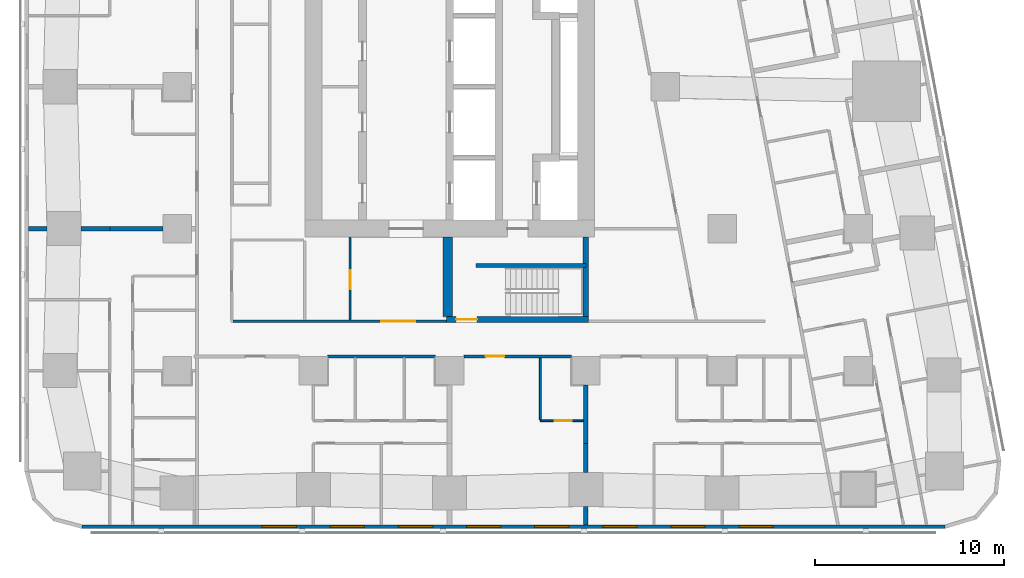
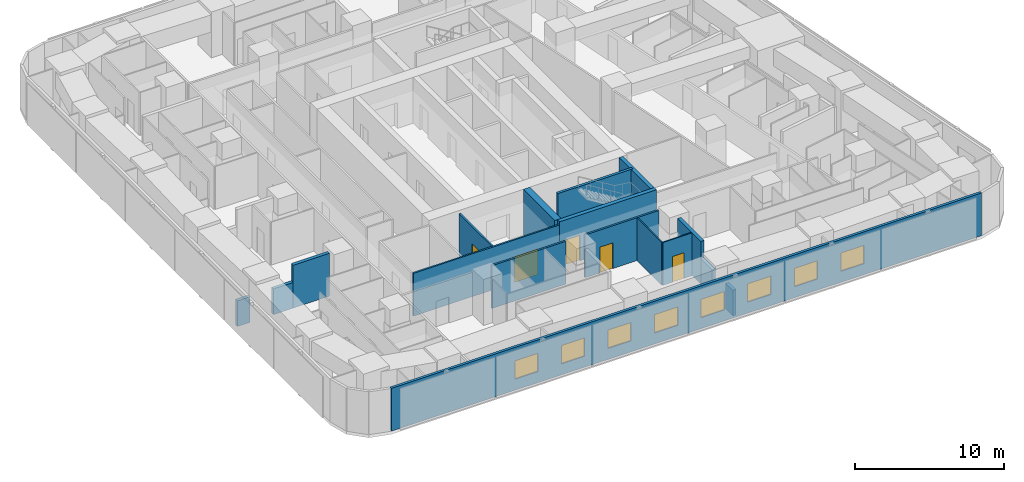
# One storey, part 3 of 15: 17 walls, 8 windows, 5 doors, 13 openings.
"""IFC4 building model written with IfcOpenShell, lengths in metres."""

from ifc_helpers import new_model, si_unit, direction, frame, frame_2d, origin, place, context, subcontext, project, spatial, rectangle, extrude, material, layer, layer_set, type_object, element, fill, save


model = new_model("IFC4")

# Units and contexts
model_context = context("Model", 3, precision=1e-05, world=origin(), true_north=direction((0.0, 1.0)))
body_context = subcontext(model_context, "Body", "Model", "MODEL_VIEW")
ifc_project = project(units=[si_unit("LENGTHUNIT", "METRE"), si_unit("AREAUNIT", "SQUARE_METRE"), si_unit("VOLUMEUNIT", "CUBIC_METRE"), si_unit("PLANEANGLEUNIT", "RADIAN"), si_unit("MASSUNIT", "GRAM", prefix="KILO")], contexts=[model_context])

# Site, building, storey
site_placement = place(None, origin())
site = spatial("IfcSite", under=ifc_project, at=site_placement, CompositionType="ELEMENT")
building_placement = place(site_placement, origin())
building = spatial("IfcBuilding", under=site, at=building_placement, Name="Sheger Commons Tower", CompositionType="ELEMENT")
storey_placement = place(building_placement, frame((0.0, 0.0, 173.300048828125)))
storey = spatial("IfcBuildingStorey", under=building, at=storey_placement, Name="L44", CompositionType="ELEMENT", Elevation=173.300048828125)

# Wall, opening, door
ifc_material_1 = material(Name="Hollow concrete block masonry, skimmed both sides", Category="masonry")
ifc_layer_1 = layer(ifc_material_1, 0.14990234375)
ifc_layer_set_1 = layer_set([ifc_layer_1], Name="CORRIDOR WALL 150")
wall_type_1 = type_object("IfcWallType", Name="CORRIDOR WALL 150", PredefinedType="SOLIDWALL", material=ifc_layer_set_1)
wall_1_placement = place(storey_placement, frame((28.049072265625, 8.25, 0.0), z_axis=(0.0, 0.0, 1.0), x_axis=(-1.0, 0.0, 0.0)))
wall_1 = element("IfcWall", 1, at=wall_1_placement, inside=storey, type_object=wall_type_1, Name="Corridor wall L44", PredefinedType="SOLIDWALL", context=body_context, shape_type="SweptSolid", body=[
    extrude(rectangle(XDim=5.697998046875, YDim=0.14990234375, at=frame_2d((2.84912109375, 0.0))), origin(), (0.0, 0.0, 1.0), 3.5),
])
opening_1_placement = place(wall_1_placement, frame((3.549072265625, 0.0, 0.0)))
opening_1 = element("IfcOpeningElement", 2, at=opening_1_placement, cuts=wall_1, Name="Opening D1", PredefinedType="OPENING", context=body_context, shape_type="SweptSolid", body=[
    extrude(rectangle(XDim=1.0, YDim=2.10009765625, at=frame_2d((0.5, 1.050048828125))), frame((0.0, 0.0849609375, 0.0), z_axis=(0.0, -1.0, 0.0), x_axis=(1.0, 0.0, 0.0)), (0.0, 0.0, 1.0), 0.169921875),
])
ifc_material_2 = material(Name="Steel door set, fire rated", Category="steel")
door_type_1 = type_object("IfcDoorType", Name="FLAT ENTRANCE DOOR 1000x2100", OperationType="NOTDEFINED", PredefinedType="DOOR", material=ifc_material_2)
door_1_placement = place(opening_1_placement, origin())
door_1 = element("IfcDoor", 3, at=door_1_placement, inside=storey, type_object=door_type_1, Name="Flat entrance door", OperationType="SINGLE_SWING_RIGHT", OverallHeight=2.10009765625, OverallWidth=1.0, PredefinedType="DOOR", context=body_context, shape_type="SweptSolid", body=[
    extrude(rectangle(XDim=1.0, YDim=2.10009765625, at=frame_2d((0.5, 1.050048828125))), frame((0.0, 0.02490234375, 0.0), z_axis=(0.0, -1.0, 0.0), x_axis=(1.0, 0.0, 0.0)), (0.0, 0.0, 1.0), 0.050048828125),
])
fill(opening_1, door_1)

# Walls
wall_2_placement = place(storey_placement, frame((20.84912109375, 8.25, 0.0), z_axis=(0.0, 0.0, 1.0), x_axis=(-1.0, 0.0, 0.0)))
element("IfcWall", 4, at=wall_2_placement, inside=storey, type_object=wall_type_1, Name="Corridor wall L44", PredefinedType="SOLIDWALL", context=body_context, shape_type="SweptSolid", body=[
    extrude(rectangle(XDim=5.6982421875, YDim=0.14990234375, at=frame_2d((2.84912109375, 0.0))), origin(), (0.0, 0.0, 1.0), 3.5),
])
ifc_material_3 = material(Name="Dense concrete block masonry, plastered both sides (separating wall between flats)", Category="masonry")
ifc_layer_2 = layer(ifc_material_3, 0.25)
ifc_layer_set_2 = layer_set([ifc_layer_2], Name="DEMISING WALL 250")
wall_type_2 = type_object("IfcWallType", Name="DEMISING WALL 250", PredefinedType="SOLIDWALL", material=ifc_layer_set_2)
wall_3_placement = place(storey_placement, frame((-0.64990234375, 15.0, 0.0), z_axis=(0.0, 0.0, 1.0), x_axis=(1.0, 0.0, 0.0)))
element("IfcWall", 5, at=wall_3_placement, inside=storey, type_object=wall_type_2, Name="Demising wall L44", PredefinedType="SOLIDWALL", context=body_context, shape_type="SweptSolid", body=[
    extrude(rectangle(XDim=0.973876953125, YDim=0.25, at=frame_2d((0.48681640625, 0.0))), origin(), (0.0, 0.0, 1.0), 2.099853515625),
])
wall_4_placement = place(storey_placement, frame((2.1259765625, 15.0, 0.0), z_axis=(0.0, 0.0, 1.0), x_axis=(1.0, 0.0, 0.0)))
element("IfcWall", 6, at=wall_4_placement, inside=storey, type_object=wall_type_2, Name="Demising wall L44", PredefinedType="SOLIDWALL", context=body_context, shape_type="SweptSolid", body=[
    extrude(rectangle(XDim=1.52392578125, YDim=0.25, at=frame_2d((0.761962890625, 0.0))), origin(), (0.0, 0.0, 1.0), 2.099853515625),
])
wall_5_placement = place(storey_placement, frame((3.64990234375, 15.0, 0.0), z_axis=(0.0, 0.0, 1.0), x_axis=(1.0, 0.0, 0.0)))
element("IfcWall", 7, at=wall_5_placement, inside=storey, type_object=wall_type_2, Name="Demising wall L44", PredefinedType="SOLIDWALL", context=body_context, shape_type="SweptSolid", body=[
    extrude(rectangle(XDim=2.799072265625, YDim=0.25, at=frame_2d((1.3994140625, 0.0))), origin(), (0.0, 0.0, 1.0), 3.5),
])
wall_6_placement = place(storey_placement, frame((28.800048828125, -0.64990234375, 0.0), z_axis=(0.0, 0.0, 1.0), x_axis=(0.0, 1.0, 0.0)))
element("IfcWall", 8, at=wall_6_placement, inside=storey, type_object=wall_type_2, Name="Demising wall L44", PredefinedType="SOLIDWALL", context=body_context, shape_type="SweptSolid", body=[
    extrude(rectangle(XDim=0.973876953125, YDim=0.25, at=frame_2d((0.48681640625, 0.0))), origin(), (0.0, 0.0, 1.0), 2.099853515625),
])
wall_7_placement = place(storey_placement, frame((28.800048828125, 2.1259765625, 0.0), z_axis=(0.0, 0.0, 1.0), x_axis=(0.0, 1.0, 0.0)))
element("IfcWall", 9, at=wall_7_placement, inside=storey, type_object=wall_type_2, Name="Demising wall L44", PredefinedType="SOLIDWALL", context=body_context, shape_type="SweptSolid", body=[
    extrude(rectangle(XDim=1.52392578125, YDim=0.25, at=frame_2d((0.761962890625, 0.0))), origin(), (0.0, 0.0, 1.0), 2.099853515625),
])
wall_8_placement = place(storey_placement, frame((28.800048828125, 3.64990234375, 0.0), z_axis=(0.0, 0.0, 1.0), x_axis=(0.0, 1.0, 0.0)))
element("IfcWall", 10, at=wall_8_placement, inside=storey, type_object=wall_type_2, Name="Demising wall L44", PredefinedType="SOLIDWALL", context=body_context, shape_type="SweptSolid", body=[
    extrude(rectangle(XDim=3.09912109375, YDim=0.25, at=frame_2d((1.549560546875, 0.0))), origin(), (0.0, 0.0, 1.0), 3.5),
])

# Wall, openings, windows
ifc_material_4 = material(Name="Rendered concrete block masonry, dark grey", Category="masonry")
ifc_layer_3 = layer(ifc_material_4, 0.199951171875)
ifc_layer_set_3 = layer_set([ifc_layer_3], Name="FACADE WALL 200")
wall_type_3 = type_object("IfcWallType", Name="FACADE WALL 200", PredefinedType="SOLIDWALL", material=ifc_layer_set_3)
wall_9_placement = place(storey_placement, frame((2.1630859375, -0.75, 0.0), z_axis=(0.0, 0.0, 1.0), x_axis=(1.0, 0.0, 0.0)))
wall_9 = element("IfcWall", 11, at=wall_9_placement, inside=storey, type_object=wall_type_3, Name="Facade wall L44", PredefinedType="SOLIDWALL", context=body_context, shape_type="SweptSolid", body=[
    extrude(rectangle(XDim=45.6279296875, YDim=0.199951171875, at=frame_2d((22.81396484375, 0.0))), origin(), (0.0, 0.0, 1.0), 3.5),
])
opening_2_placement = place(wall_9_placement, frame((9.537109375, 0.0, 0.89990234375)))
opening_2 = element("IfcOpeningElement", 12, at=opening_2_placement, cuts=wall_9, Name="Opening W2", PredefinedType="OPENING", context=body_context, shape_type="SweptSolid", body=[
    extrude(rectangle(XDim=1.800048828125, YDim=1.5, at=frame_2d((0.89990234375, 0.75))), frame((0.0, 0.10986328125, 0.0), z_axis=(0.0, -1.0, 0.0), x_axis=(1.0, 0.0, 0.0)), (0.0, 0.0, 1.0), 0.219970703125),
])
opening_3_placement = place(wall_9_placement, frame((13.136962890625, 0.0, 0.89990234375)))
opening_3 = element("IfcOpeningElement", 13, at=opening_3_placement, cuts=wall_9, Name="Opening W2", PredefinedType="OPENING", context=body_context, shape_type="SweptSolid", body=[
    extrude(rectangle(XDim=1.800048828125, YDim=1.5, at=frame_2d((0.89990234375, 0.75))), frame((0.0, 0.10986328125, 0.0), z_axis=(0.0, -1.0, 0.0), x_axis=(1.0, 0.0, 0.0)), (0.0, 0.0, 1.0), 0.219970703125),
])
opening_4_placement = place(wall_9_placement, frame((16.737060546875, 0.0, 0.89990234375)))
opening_4 = element("IfcOpeningElement", 14, at=opening_4_placement, cuts=wall_9, Name="Opening W2", PredefinedType="OPENING", context=body_context, shape_type="SweptSolid", body=[
    extrude(rectangle(XDim=1.800048828125, YDim=1.5, at=frame_2d((0.89990234375, 0.75))), frame((0.0, 0.10986328125, 0.0), z_axis=(0.0, -1.0, 0.0), x_axis=(1.0, 0.0, 0.0)), (0.0, 0.0, 1.0), 0.219970703125),
])
opening_5_placement = place(wall_9_placement, frame((20.3369140625, 0.0, 0.89990234375)))
opening_5 = element("IfcOpeningElement", 15, at=opening_5_placement, cuts=wall_9, Name="Opening W2", PredefinedType="OPENING", context=body_context, shape_type="SweptSolid", body=[
    extrude(rectangle(XDim=1.800048828125, YDim=1.5, at=frame_2d((0.89990234375, 0.75))), frame((0.0, 0.10986328125, 0.0), z_axis=(0.0, -1.0, 0.0), x_axis=(1.0, 0.0, 0.0)), (0.0, 0.0, 1.0), 0.219970703125),
])
opening_6_placement = place(wall_9_placement, frame((23.93701171875, 0.0, 0.89990234375)))
opening_6 = element("IfcOpeningElement", 16, at=opening_6_placement, cuts=wall_9, Name="Opening W2", PredefinedType="OPENING", context=body_context, shape_type="SweptSolid", body=[
    extrude(rectangle(XDim=1.800048828125, YDim=1.5, at=frame_2d((0.89990234375, 0.75))), frame((0.0, 0.10986328125, 0.0), z_axis=(0.0, -1.0, 0.0), x_axis=(1.0, 0.0, 0.0)), (0.0, 0.0, 1.0), 0.219970703125),
])
opening_7_placement = place(wall_9_placement, frame((27.537109375, 0.0, 0.89990234375)))
opening_7 = element("IfcOpeningElement", 17, at=opening_7_placement, cuts=wall_9, Name="Opening W2", PredefinedType="OPENING", context=body_context, shape_type="SweptSolid", body=[
    extrude(rectangle(XDim=1.800048828125, YDim=1.5, at=frame_2d((0.89990234375, 0.75))), frame((0.0, 0.10986328125, 0.0), z_axis=(0.0, -1.0, 0.0), x_axis=(1.0, 0.0, 0.0)), (0.0, 0.0, 1.0), 0.219970703125),
])
opening_8_placement = place(wall_9_placement, frame((31.136962890625, 0.0, 0.89990234375)))
opening_8 = element("IfcOpeningElement", 18, at=opening_8_placement, cuts=wall_9, Name="Opening W2", PredefinedType="OPENING", context=body_context, shape_type="SweptSolid", body=[
    extrude(rectangle(XDim=1.800048828125, YDim=1.5, at=frame_2d((0.89990234375, 0.75))), frame((0.0, 0.10986328125, 0.0), z_axis=(0.0, -1.0, 0.0), x_axis=(1.0, 0.0, 0.0)), (0.0, 0.0, 1.0), 0.219970703125),
])
opening_9_placement = place(wall_9_placement, frame((34.737060546875, 0.0, 0.89990234375)))
opening_9 = element("IfcOpeningElement", 19, at=opening_9_placement, cuts=wall_9, Name="Opening W2", PredefinedType="OPENING", context=body_context, shape_type="SweptSolid", body=[
    extrude(rectangle(XDim=1.800048828125, YDim=1.5, at=frame_2d((0.89990234375, 0.75))), frame((0.0, 0.10986328125, 0.0), z_axis=(0.0, -1.0, 0.0), x_axis=(1.0, 0.0, 0.0)), (0.0, 0.0, 1.0), 0.219970703125),
])
ifc_material_5 = material(Name="Black aluminium frame, dark tinted double glazing", Category="aluminium")
window_type = type_object("IfcWindowType", Name="WINDOW W2 1800x1500", PartitioningType="SINGLE_PANEL", PredefinedType="WINDOW", material=ifc_material_5)
window_1_placement = place(opening_2_placement, origin())
window_1 = element("IfcWindow", 20, at=window_1_placement, inside=storey, type_object=window_type, Name="Window W2 1800X1500", OverallHeight=1.5, OverallWidth=1.800048828125, PartitioningType="SINGLE_PANEL", PredefinedType="WINDOW", context=body_context, shape_type="SweptSolid", body=[
    extrude(rectangle(XDim=1.800048828125, YDim=1.5, at=frame_2d((0.89990234375, 0.75))), frame((0.0, 0.030029296875, 0.0), z_axis=(0.0, -1.0, 0.0), x_axis=(1.0, 0.0, 0.0)), (0.0, 0.0, 1.0), 0.06005859375),
])
fill(opening_2, window_1)
window_2_placement = place(opening_3_placement, origin())
window_2 = element("IfcWindow", 21, at=window_2_placement, inside=storey, type_object=window_type, Name="Window W2 1800X1500", OverallHeight=1.5, OverallWidth=1.800048828125, PartitioningType="SINGLE_PANEL", PredefinedType="WINDOW", context=body_context, shape_type="SweptSolid", body=[
    extrude(rectangle(XDim=1.800048828125, YDim=1.5, at=frame_2d((0.89990234375, 0.75))), frame((0.0, 0.030029296875, 0.0), z_axis=(0.0, -1.0, 0.0), x_axis=(1.0, 0.0, 0.0)), (0.0, 0.0, 1.0), 0.06005859375),
])
fill(opening_3, window_2)
window_3_placement = place(opening_4_placement, origin())
window_3 = element("IfcWindow", 22, at=window_3_placement, inside=storey, type_object=window_type, Name="Window W2 1800X1500", OverallHeight=1.5, OverallWidth=1.800048828125, PartitioningType="SINGLE_PANEL", PredefinedType="WINDOW", context=body_context, shape_type="SweptSolid", body=[
    extrude(rectangle(XDim=1.800048828125, YDim=1.5, at=frame_2d((0.89990234375, 0.75))), frame((0.0, 0.030029296875, 0.0), z_axis=(0.0, -1.0, 0.0), x_axis=(1.0, 0.0, 0.0)), (0.0, 0.0, 1.0), 0.06005859375),
])
fill(opening_4, window_3)
window_4_placement = place(opening_5_placement, origin())
window_4 = element("IfcWindow", 23, at=window_4_placement, inside=storey, type_object=window_type, Name="Window W2 1800X1500", OverallHeight=1.5, OverallWidth=1.800048828125, PartitioningType="SINGLE_PANEL", PredefinedType="WINDOW", context=body_context, shape_type="SweptSolid", body=[
    extrude(rectangle(XDim=1.800048828125, YDim=1.5, at=frame_2d((0.89990234375, 0.75))), frame((0.0, 0.030029296875, 0.0), z_axis=(0.0, -1.0, 0.0), x_axis=(1.0, 0.0, 0.0)), (0.0, 0.0, 1.0), 0.06005859375),
])
fill(opening_5, window_4)
window_5_placement = place(opening_6_placement, origin())
window_5 = element("IfcWindow", 24, at=window_5_placement, inside=storey, type_object=window_type, Name="Window W2 1800X1500", OverallHeight=1.5, OverallWidth=1.800048828125, PartitioningType="SINGLE_PANEL", PredefinedType="WINDOW", context=body_context, shape_type="SweptSolid", body=[
    extrude(rectangle(XDim=1.800048828125, YDim=1.5, at=frame_2d((0.89990234375, 0.75))), frame((0.0, 0.030029296875, 0.0), z_axis=(0.0, -1.0, 0.0), x_axis=(1.0, 0.0, 0.0)), (0.0, 0.0, 1.0), 0.06005859375),
])
fill(opening_6, window_5)
window_6_placement = place(opening_7_placement, origin())
window_6 = element("IfcWindow", 25, at=window_6_placement, inside=storey, type_object=window_type, Name="Window W2 1800X1500", OverallHeight=1.5, OverallWidth=1.800048828125, PartitioningType="SINGLE_PANEL", PredefinedType="WINDOW", context=body_context, shape_type="SweptSolid", body=[
    extrude(rectangle(XDim=1.800048828125, YDim=1.5, at=frame_2d((0.89990234375, 0.75))), frame((0.0, 0.030029296875, 0.0), z_axis=(0.0, -1.0, 0.0), x_axis=(1.0, 0.0, 0.0)), (0.0, 0.0, 1.0), 0.06005859375),
])
fill(opening_7, window_6)
window_7_placement = place(opening_8_placement, origin())
window_7 = element("IfcWindow", 26, at=window_7_placement, inside=storey, type_object=window_type, Name="Window W2 1800X1500", OverallHeight=1.5, OverallWidth=1.800048828125, PartitioningType="SINGLE_PANEL", PredefinedType="WINDOW", context=body_context, shape_type="SweptSolid", body=[
    extrude(rectangle(XDim=1.800048828125, YDim=1.5, at=frame_2d((0.89990234375, 0.75))), frame((0.0, 0.030029296875, 0.0), z_axis=(0.0, -1.0, 0.0), x_axis=(1.0, 0.0, 0.0)), (0.0, 0.0, 1.0), 0.06005859375),
])
fill(opening_8, window_7)
window_8_placement = place(opening_9_placement, origin())
window_8 = element("IfcWindow", 27, at=window_8_placement, inside=storey, type_object=window_type, Name="Window W2 1800X1500", OverallHeight=1.5, OverallWidth=1.800048828125, PartitioningType="SINGLE_PANEL", PredefinedType="WINDOW", context=body_context, shape_type="SweptSolid", body=[
    extrude(rectangle(XDim=1.800048828125, YDim=1.5, at=frame_2d((0.89990234375, 0.75))), frame((0.0, 0.030029296875, 0.0), z_axis=(0.0, -1.0, 0.0), x_axis=(1.0, 0.0, 0.0)), (0.0, 0.0, 1.0), 0.06005859375),
])
fill(opening_9, window_8)

# Wall, opening, door
ifc_material_6 = material(Name="Gypsum board on steel studs", Category="steel")
ifc_layer_4 = layer(ifc_material_6, 0.10009765625)
ifc_layer_set_4 = layer_set([ifc_layer_4], Name="PARTITION 100")
wall_type_4 = type_object("IfcWallType", Name="PARTITION 100", PredefinedType="PARTITIONING", material=ifc_layer_set_4)
wall_10_placement = place(storey_placement, frame((28.675048828125, 4.85009765625, 0.0), z_axis=(0.0, 0.0, 1.0), x_axis=(-1.0, 0.0, 0.0)))
wall_10 = element("IfcWall", 28, at=wall_10_placement, inside=storey, type_object=wall_type_4, Name="Partition L44", PredefinedType="PARTITIONING", context=body_context, shape_type="SweptSolid", body=[
    extrude(rectangle(XDim=2.276123046875, YDim=0.10009765625, at=frame_2d((1.13818359375, 0.0))), origin(), (0.0, 0.0, 1.0), 3.5),
])
opening_10_placement = place(wall_10_placement, frame((0.6259765625, 0.0, 0.0)))
opening_10 = element("IfcOpeningElement", 29, at=opening_10_placement, cuts=wall_10, Name="Opening D2", PredefinedType="OPENING", context=body_context, shape_type="SweptSolid", body=[
    extrude(rectangle(XDim=0.89990234375, YDim=2.10009765625, at=frame_2d((0.449951171875, 1.050048828125))), frame((0.0, 0.06005859375, 0.0), z_axis=(0.0, -1.0, 0.0), x_axis=(1.0, 0.0, 0.0)), (0.0, 0.0, 1.0), 0.1201171875),
])
ifc_material_7 = material(Name="Timber door set", Category="wood")
door_type_2 = type_object("IfcDoorType", Name="INTERNAL DOOR 900x2100", OperationType="NOTDEFINED", PredefinedType="DOOR", material=ifc_material_7)
door_2_placement = place(opening_10_placement, origin())
door_2 = element("IfcDoor", 30, at=door_2_placement, inside=storey, type_object=door_type_2, Name="Bathroom door", OperationType="SINGLE_SWING_RIGHT", OverallHeight=2.10009765625, OverallWidth=0.89990234375, PredefinedType="DOOR", context=body_context, shape_type="SweptSolid", body=[
    extrude(rectangle(XDim=0.89990234375, YDim=2.10009765625, at=frame_2d((0.449951171875, 1.050048828125))), frame((0.0, 0.02490234375, 0.0), z_axis=(0.0, -1.0, 0.0), x_axis=(1.0, 0.0, 0.0)), (0.0, 0.0, 1.0), 0.050048828125),
])
fill(opening_10, door_2)

# Wall
wall_11_placement = place(storey_placement, frame((26.39892578125, 4.89990234375, 0.0), z_axis=(0.0, 0.0, 1.0), x_axis=(0.0, 1.0, 0.0)))
element("IfcWall", 31, at=wall_11_placement, inside=storey, type_object=wall_type_4, Name="Partition L44", PredefinedType="PARTITIONING", context=body_context, shape_type="SweptSolid", body=[
    extrude(rectangle(XDim=3.275146484375, YDim=0.10009765625, at=frame_2d((1.6376953125, 0.0))), origin(), (0.0, 0.0, 1.0), 3.5),
])

# Wall, opening, door
ifc_material_8 = material(Name="Gypsum board on steel studs, two layers each side, fire rated", Category="steel")
ifc_layer_5 = layer(ifc_material_8, 0.125)
ifc_layer_set_5 = layer_set([ifc_layer_5], Name="SERVICE WALL 125")
wall_type_5 = type_object("IfcWallType", Name="SERVICE WALL 125", PredefinedType="PARTITIONING", material=ifc_layer_set_5)
wall_12_placement = place(storey_placement, frame((10.162109375, 10.10009765625, 0.0), z_axis=(0.0, 0.0, 1.0), x_axis=(1.0, 0.0, 0.0)))
wall_12 = element("IfcWall", 32, at=wall_12_placement, inside=storey, type_object=wall_type_5, Name="Service room wall L44", PredefinedType="PARTITIONING", context=body_context, shape_type="SweptSolid", body=[
    extrude(rectangle(XDim=11.287841796875, YDim=0.125, at=frame_2d((5.64404296875, 0.0))), origin(), (0.0, 0.0, 1.0), 3.5),
])
opening_11_placement = place(wall_12_placement, frame((7.8330078125, 0.0, 0.0)))
opening_11 = element("IfcOpeningElement", 33, at=opening_11_placement, cuts=wall_12, Name="Opening D6", PredefinedType="OPENING", context=body_context, shape_type="SweptSolid", body=[
    extrude(rectangle(XDim=1.800048828125, YDim=2.10009765625, at=frame_2d((0.89990234375, 1.050048828125))), frame((0.0, 0.072509765625, 0.0), z_axis=(0.0, -1.0, 0.0), x_axis=(1.0, 0.0, 0.0)), (0.0, 0.0, 1.0), 0.14501953125),
])
ifc_material_9 = material(Name="Steel door set, fire rated", Category="steel")
door_type_3 = type_object("IfcDoorType", Name="LOBBY DOUBLE DOOR 1800x2100", OperationType="DOUBLE_DOOR_SINGLE_SWING", PredefinedType="DOOR", material=ifc_material_9)
door_3_placement = place(opening_11_placement, origin())
door_3 = element("IfcDoor", 34, at=door_3_placement, inside=storey, type_object=door_type_3, Name="Lift lobby south door", OperationType="DOUBLE_DOOR_SINGLE_SWING", OverallHeight=2.10009765625, OverallWidth=1.800048828125, PredefinedType="DOOR", context=body_context, shape_type="SweptSolid", body=[
    extrude(rectangle(XDim=1.800048828125, YDim=2.10009765625, at=frame_2d((0.89990234375, 1.050048828125))), frame((0.0, 0.02490234375, 0.0), z_axis=(0.0, -1.0, 0.0), x_axis=(1.0, 0.0, 0.0)), (0.0, 0.0, 1.0), 0.050048828125),
])
fill(opening_11, door_3)

wall_13_placement = place(storey_placement, frame((16.340087890625, 10.1630859375, 0.0), z_axis=(0.0, 0.0, 1.0), x_axis=(0.0, 1.0, 0.0)))
wall_13 = element("IfcWall", 35, at=wall_13_placement, inside=storey, type_object=wall_type_5, Name="Service room wall L44", PredefinedType="PARTITIONING", context=body_context, shape_type="SweptSolid", body=[
    extrude(rectangle(XDim=4.386962890625, YDim=0.125, at=frame_2d((2.193359375, 0.0))), origin(), (0.0, 0.0, 1.0), 3.5),
])
opening_12_placement = place(wall_13_placement, frame((1.636962890625, 0.0, 0.0)))
opening_12 = element("IfcOpeningElement", 36, at=opening_12_placement, cuts=wall_13, Name="Opening D4", PredefinedType="OPENING", context=body_context, shape_type="SweptSolid", body=[
    extrude(rectangle(XDim=1.0, YDim=2.10009765625, at=frame_2d((0.5, 1.050048828125))), frame((0.0, 0.072509765625, 0.0), z_axis=(0.0, -1.0, 0.0), x_axis=(1.0, 0.0, 0.0)), (0.0, 0.0, 1.0), 0.14501953125),
])
ifc_material_10 = material(Name="Steel door set, fire rated", Category="steel")
door_type_4 = type_object("IfcDoorType", Name="SERVICE DOOR 1000x2100", OperationType="NOTDEFINED", PredefinedType="DOOR", material=ifc_material_10)
door_4_placement = place(opening_12_placement, origin())
door_4 = element("IfcDoor", 37, at=door_4_placement, inside=storey, type_object=door_type_4, Name="Electrical room door", OperationType="SINGLE_SWING_LEFT", OverallHeight=2.10009765625, OverallWidth=1.0, PredefinedType="DOOR", context=body_context, shape_type="SweptSolid", body=[
    extrude(rectangle(XDim=1.0, YDim=2.10009765625, at=frame_2d((0.5, 1.050048828125))), frame((0.0, 0.02490234375, 0.0), z_axis=(0.0, -1.0, 0.0), x_axis=(1.0, 0.0, 0.0)), (0.0, 0.0, 1.0), 0.050048828125),
])
fill(opening_12, door_4)

ifc_material_11 = material(Name="Concrete C50/60", Category="concrete")
ifc_layer_6 = layer(ifc_material_11, 0.300048828125)
ifc_layer_set_6 = layer_set([ifc_layer_6], Name="STAIR CORE WALL 300")
wall_type_6 = type_object("IfcWallType", Name="STAIR CORE WALL 300", PredefinedType="SHEAR", material=ifc_layer_set_6)
wall_14_placement = place(storey_placement, frame((21.449951171875, 10.199951171875, 0.0), z_axis=(0.0, 0.0, 1.0), x_axis=(1.0, 0.0, 0.0)))
wall_14 = element("IfcWall", 38, at=wall_14_placement, inside=storey, type_object=wall_type_6, Name="STW-L44-S1S", PredefinedType="SHEAR", context=body_context, shape_type="SweptSolid", body=[
    extrude(rectangle(XDim=7.5, YDim=0.300048828125, at=frame_2d((3.75, 0.0))), origin(), (0.0, 0.0, 1.0), 3.75),
])
opening_13_placement = place(wall_14_placement, frame((0.5, 0.0, 0.0)))
opening_13 = element("IfcOpeningElement", 39, at=opening_13_placement, cuts=wall_14, Name="Opening D5", PredefinedType="OPENING", context=body_context, shape_type="SweptSolid", body=[
    extrude(rectangle(XDim=1.10009765625, YDim=2.10009765625, at=frame_2d((0.550048828125, 1.050048828125))), frame((0.0, 0.159912109375, 0.0), z_axis=(0.0, -1.0, 0.0), x_axis=(1.0, 0.0, 0.0)), (0.0, 0.0, 1.0), 0.320068359375),
])
ifc_material_12 = material(Name="Steel door set, fire rated", Category="steel")
door_type_5 = type_object("IfcDoorType", Name="STAIR DOOR 1100x2100", OperationType="NOTDEFINED", PredefinedType="DOOR", material=ifc_material_12)
door_5_placement = place(opening_13_placement, origin())
door_5 = element("IfcDoor", 40, at=door_5_placement, inside=storey, type_object=door_type_5, Name="Stair S1 door", OperationType="SINGLE_SWING_LEFT", OverallHeight=2.10009765625, OverallWidth=1.10009765625, PredefinedType="DOOR", context=body_context, shape_type="SweptSolid", body=[
    extrude(rectangle(XDim=1.10009765625, YDim=2.10009765625, at=frame_2d((0.550048828125, 1.050048828125))), frame((0.0, 0.02490234375, 0.0), z_axis=(0.0, -1.0, 0.0), x_axis=(1.0, 0.0, 0.0)), (0.0, 0.0, 1.0), 0.050048828125),
])
fill(opening_13, door_5)

# Walls
wall_15_placement = place(storey_placement, frame((28.800048828125, 10.35009765625, 0.0), z_axis=(0.0, 0.0, 1.0), x_axis=(0.0, 1.0, 0.0)))
element("IfcWall", 41, at=wall_15_placement, inside=storey, type_object=wall_type_6, Name="STW-L44-S1E", PredefinedType="SHEAR", context=body_context, shape_type="SweptSolid", body=[
    extrude(rectangle(XDim=4.199951171875, YDim=0.300048828125, at=frame_2d((2.10009765625, 0.0))), origin(), (0.0, 0.0, 1.0), 3.75),
])
ifc_material_13 = material(Name="Concrete C50/60", Category="concrete")
ifc_layer_7 = layer(ifc_material_13, 0.5)
ifc_layer_set_7 = layer_set([ifc_layer_7], Name="STAIR CORE WALL 500")
wall_type_7 = type_object("IfcWallType", Name="STAIR CORE WALL 500", PredefinedType="SHEAR", material=ifc_layer_set_7)
wall_16_placement = place(storey_placement, frame((21.5, 10.35009765625, 0.0), z_axis=(0.0, 0.0, 1.0), x_axis=(0.0, 1.0, 0.0)))
element("IfcWall", 42, at=wall_16_placement, inside=storey, type_object=wall_type_7, Name="STW-L44-S1W", PredefinedType="SHEAR", context=body_context, shape_type="SweptSolid", body=[
    extrude(rectangle(XDim=4.199951171875, YDim=0.5, at=frame_2d((2.10009765625, 0.0))), origin(), (0.0, 0.0, 1.0), 3.75),
])
ifc_material_14 = material(Name="Concrete C50/60", Category="concrete")
ifc_layer_8 = layer(ifc_material_14, 0.199951171875)
ifc_layer_set_8 = layer_set([ifc_layer_8], Name="STAIR SPINE WALL 200")
wall_type_8 = type_object("IfcWallType", Name="STAIR SPINE WALL 200", PredefinedType="SHEAR", material=ifc_layer_set_8)
wall_17_placement = place(storey_placement, frame((23.0, 13.050048828125, 0.0), z_axis=(0.0, 0.0, 1.0), x_axis=(1.0, 0.0, 0.0)))
element("IfcWall", 43, at=wall_17_placement, inside=storey, type_object=wall_type_8, Name="Stair spine wall L44", PredefinedType="SHEAR", context=body_context, shape_type="SweptSolid", body=[
    extrude(rectangle(XDim=5.800048828125, YDim=0.199951171875, at=frame_2d((2.89990234375, 0.0))), origin(), (0.0, 0.0, 1.0), 3.75),
])

save(model, "model.ifc")
